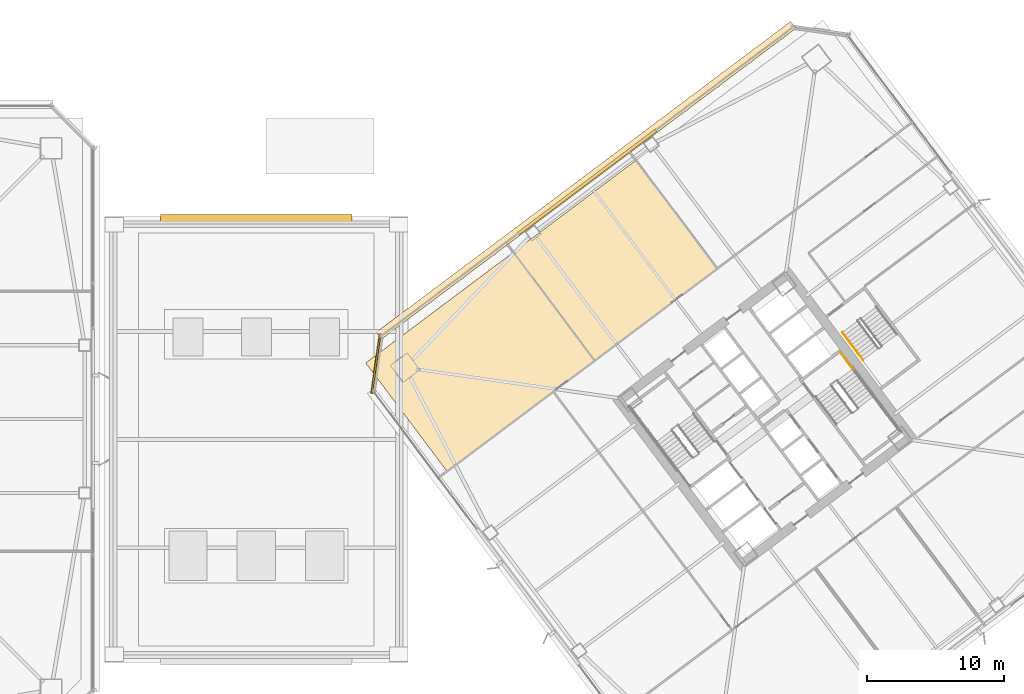
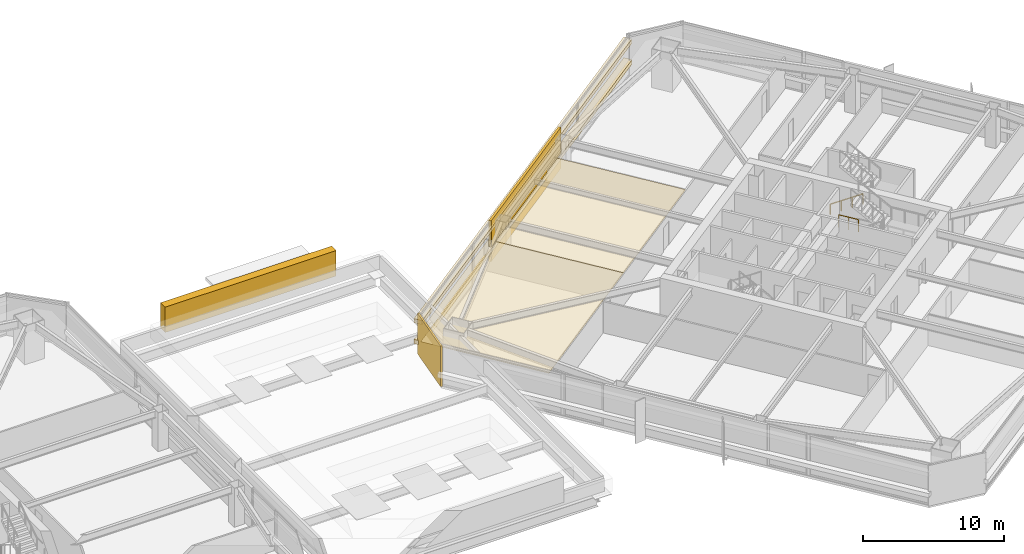
# One storey, part 60 of 62: 7 coverings, 2 railings.
"""IFC4 building model written with IfcOpenShell, lengths in metres."""

from ifc_helpers import new_model, si_unit, direction, frame, origin, origin_2d, place, context, subcontext, project, spatial, polyline, rectangle, outline, extrude, material, layer, layer_set, type_object, element, save


model = new_model("IFC4")

# Units and contexts
model_context = context("Model", 3, precision=1e-05, world=origin(), true_north=direction((0.0, 1.0)))
body_context = subcontext(model_context, "Body", "Model", "MODEL_VIEW")
ifc_project = project(units=[si_unit("LENGTHUNIT", "METRE"), si_unit("AREAUNIT", "SQUARE_METRE"), si_unit("VOLUMEUNIT", "CUBIC_METRE"), si_unit("PLANEANGLEUNIT", "RADIAN"), si_unit("MASSUNIT", "GRAM", prefix="KILO")], contexts=[model_context])

# Site, building, storey
site_placement = place(None, origin())
site = spatial("IfcSite", under=ifc_project, at=site_placement, CompositionType="ELEMENT")
building_placement = place(site_placement, origin())
building = spatial("IfcBuilding", under=site, at=building_placement, Name="Tashvorn Skyway Center", CompositionType="ELEMENT")
storey_placement = place(building_placement, frame((0.0, 0.0, 28.14990234375)))
storey = spatial("IfcBuildingStorey", under=building, at=storey_placement, Name="L06", CompositionType="ELEMENT", Elevation=28.14990234375)

# Coverings
ifc_material_1 = material(Name="Precast concrete C40/50", Category="concrete")
ifc_layer_1 = layer(ifc_material_1, 0.199951171875)
ifc_layer_set_1 = layer_set([ifc_layer_1], Name="Precast concrete C40/50")
covering_type_1 = type_object("IfcCoveringType", Name="COV-BRACE-CLAD", PredefinedType="CLADDING", material=ifc_layer_set_1)
covering_1_placement = place(storey_placement, frame((100.991943359375, 49.343994140625, 0.0), z_axis=(0.0, 0.0, 1.0), x_axis=(0.799999996291, 0.600000004945, 0.0)))
element("IfcCovering", 1, at=covering_1_placement, inside=storey, type_object=covering_type_1, Name="Tower 2 L06 North Unitised Curtain Wall Mega-Brace Cladding Band 1", PredefinedType="CLADDING", context=body_context, shape_type="SweptSolid", body=[
    extrude(rectangle(XDim=12.586669921875, YDim=0.199951171875, at=origin_2d()), origin(), (0.0, 0.0, 1.0), 3.550048828125),
])
ifc_material_2 = material(Name="Mineral-fibre acoustic ceiling tile on suspended grid")
ifc_layer_2 = layer(ifc_material_2, 0.02001953125)
ifc_layer_set_2 = layer_set([ifc_layer_2], Name="Mineral-fibre acoustic ceiling tile on suspended grid")
covering_type_2 = type_object("IfcCoveringType", Name="COV-CEIL-20", PredefinedType="CEILING", material=ifc_layer_set_2)
covering_2_placement = place(storey_placement, frame((0.0, 0.0, 2.68310546875)))
element("IfcCovering", 2, at=covering_2_placement, inside=storey, type_object=covering_type_2, Name="Tower 2 L06 Open Plan Office Acoustic Ceiling", PredefinedType="CEILING", context=body_context, shape_type="SweptSolid", body=[
    extrude(outline(polyline([(90.739990234375, 28.179931640625), (101.5400390625, 36.280029296875), (95.60009765625, 44.199951171875), (84.800048828125, 36.10009765625), (90.739990234375, 28.179931640625)])), origin(), (0.0, 0.0, 1.0), 0.02001953125),
])
covering_3_placement = place(storey_placement, frame((0.0, 0.0, 2.68310546875)))
element("IfcCovering", 3, at=covering_3_placement, inside=storey, type_object=covering_type_2, Name="Tower 2 L06 Open Plan Office Acoustic Ceiling", PredefinedType="CEILING", context=body_context, shape_type="SweptSolid", body=[
    extrude(outline(polyline([(101.5400390625, 36.280029296875), (110.5, 43.0), (104.56005859375, 50.919921875), (95.60009765625, 44.199951171875), (101.5400390625, 36.280029296875)])), origin(), (0.0, 0.0, 1.0), 0.02001953125),
])
ifc_material_3 = material(Name="Perforated ceramic-coated bronze aluminium solar screen", Category="aluminium")
ifc_layer_3 = layer(ifc_material_3, 0.85009765625)
ifc_layer_set_3 = layer_set([ifc_layer_3], Name="Perforated ceramic-coated bronze aluminium solar screen")
covering_type_3 = type_object("IfcCoveringType", Name="COV-SOLAR-BAND", PredefinedType="CLADDING", material=ifc_layer_set_3)
for number, where, z_axis, x_axis, name in (
    (4, (100.907958984375, 49.4560546875, 0.919921875), (0.0, 0.0, 1.0), (0.799999996291, 0.600000004945, 0.0), "L06 Perforated Ceramic-Metal Solar Screen Louvre Band North 1"),
    (5, (100.907958984375, 49.4560546875, 2.72021484375), (0.0, 0.0, 1.0), (0.799999996291, 0.600000004945, 0.0), "L06 Perforated Ceramic-Metal Solar Screen Louvre Band North 2"),
):
    element("IfcCovering", number, at=place(storey_placement, frame(where, z_axis=z_axis, x_axis=x_axis)), inside=storey, type_object=covering_type_3, Name=name, PredefinedType="CLADDING", context=body_context, shape_type="SweptSolid", body=[
        extrude(rectangle(XDim=37.8798828125, YDim=0.639892578125, at=origin_2d()), origin(), (0.0, 0.0, 1.0), 0.360107421875),
    ])
ifc_layer_4 = layer(ifc_material_1, 0.35009765625)
ifc_layer_set_4 = layer_set([ifc_layer_4], Name="Precast concrete C40/50")
covering_type_4 = type_object("IfcCoveringType", Name="COV-STONE-TRIM", PredefinedType="CLADDING", material=ifc_layer_set_4)
covering_4_placement = place(storey_placement, frame((76.800048828125, 46.64990234375, 2.55029296875), z_axis=(0.0, 0.0, 1.0), x_axis=(1.0, 0.0, 0.0)))
element("IfcCovering", 6, at=covering_4_placement, inside=storey, type_object=covering_type_4, Name="Station Concourse Vault Limestone Pediment N", PredefinedType="CLADDING", context=body_context, shape_type="SweptSolid", body=[
    extrude(rectangle(XDim=14.0, YDim=0.64990234375, at=origin_2d()), origin(), (0.0, 0.0, 1.0), 2.199951171875),
])
covering_5_placement = place(storey_placement, frame((85.552001953125, 36.06396484375, 0.02001953125), z_axis=(0.0, 0.0, 1.0), x_axis=(-0.141421350118, -0.989949494535, 0.0)))
element("IfcCovering", 7, at=covering_5_placement, inside=storey, type_object=covering_type_4, Name="Tower 2 L06 NW Mojave Limestone Corner Quoin", PredefinedType="CLADDING", context=body_context, shape_type="SweptSolid", body=[
    extrude(rectangle(XDim=4.402587890625, YDim=0.139892578125, at=origin_2d()), origin(), (0.0, 0.0, 1.0), 3.510009765625),
])

# Railings
ifc_material_4 = material(Name="Brushed stainless steel 316", Category="steel")
railing_type_1 = type_object("IfcRailingType", Name="RAIL-HAND-920", PredefinedType="HANDRAIL", material=ifc_material_4)
railing_1_placement = place(storey_placement, frame((119.656005859375, 38.342041015625, 0.177490234375)))
element("IfcRailing", 8, at=railing_1_placement, inside=storey, type_object=railing_type_1, Name="L06 ST-T2-3 stair handrail 1", PredefinedType="HANDRAIL", context=body_context, shape_type="SweptSolid", body=[
    extrude(rectangle(XDim=0.048095703125, YDim=0.048095703125, at=origin_2d()), frame((0.0, 0.0, 0.8759765625), z_axis=(0.506718600913, -0.675679348675, 0.535437836974), x_axis=(0.800023250257, 0.599968998406, 0.0)), (0.0, 0.0, 1.0), 2.98388671875),
    extrude(rectangle(XDim=0.0419921875, YDim=0.0419921875, at=origin_2d()), origin(), (0.0, 0.0, 1.0), 0.851806640625),
    extrude(rectangle(XDim=0.0419921875, YDim=0.0419921875, at=origin_2d()), frame((0.50390625, -0.672119140625, 0.532470703125)), (0.0, 0.0, 1.0), 0.851806640625),
    extrude(rectangle(XDim=0.0419921875, YDim=0.0419921875, at=origin_2d()), frame((1.008056640625, -1.343994140625, 1.065185546875)), (0.0, 0.0, 1.0), 0.851806640625),
    extrude(rectangle(XDim=0.0419921875, YDim=0.0419921875, at=origin_2d()), frame((1.511962890625, -2.01611328125, 1.59765625)), (0.0, 0.0, 1.0), 0.851806640625),
])
ifc_material_5 = material(Name="Painted galvanized steel S355", Category="steel")
railing_type_2 = type_object("IfcRailingType", Name="RAIL-STGUARD-1100", PredefinedType="GUARDRAIL", material=ifc_material_5)
railing_2_placement = place(storey_placement, frame((119.50390625, 36.8779296875, 0.0)))
element("IfcRailing", 9, at=railing_2_placement, inside=storey, type_object=railing_type_2, Name="L06 ST-T2-2 stair guard 6", PredefinedType="GUARDRAIL", context=body_context, shape_type="SweptSolid", body=[
    extrude(rectangle(XDim=0.048095703125, YDim=0.048095703125, at=origin_2d()), frame((0.0, 0.0, 1.076171875), z_axis=(0.600102796382, -0.799922892393, 0.0), x_axis=(0.799922892393, 0.600102796382, 0.0)), (0.0, 0.0, 1.0), 1.52001953125),
    extrude(rectangle(XDim=0.0419921875, YDim=0.0419921875, at=origin_2d()), origin(), (0.0, 0.0, 1.0), 1.052001953125),
    extrude(rectangle(XDim=0.0419921875, YDim=0.0419921875, at=origin_2d()), frame((0.4560546875, -0.60791015625, 0.0)), (0.0, 0.0, 1.0), 1.052001953125),
    extrude(rectangle(XDim=0.0419921875, YDim=0.0419921875, at=origin_2d()), frame((0.912109375, -1.2158203125, 0.0)), (0.0, 0.0, 1.0), 1.052001953125),
])

save(model, "model.ifc")
